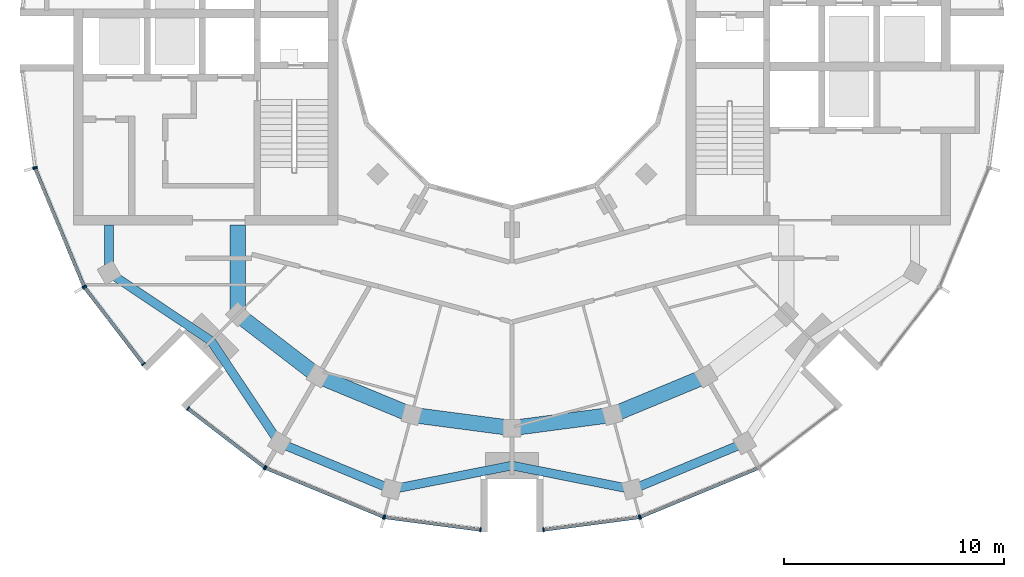
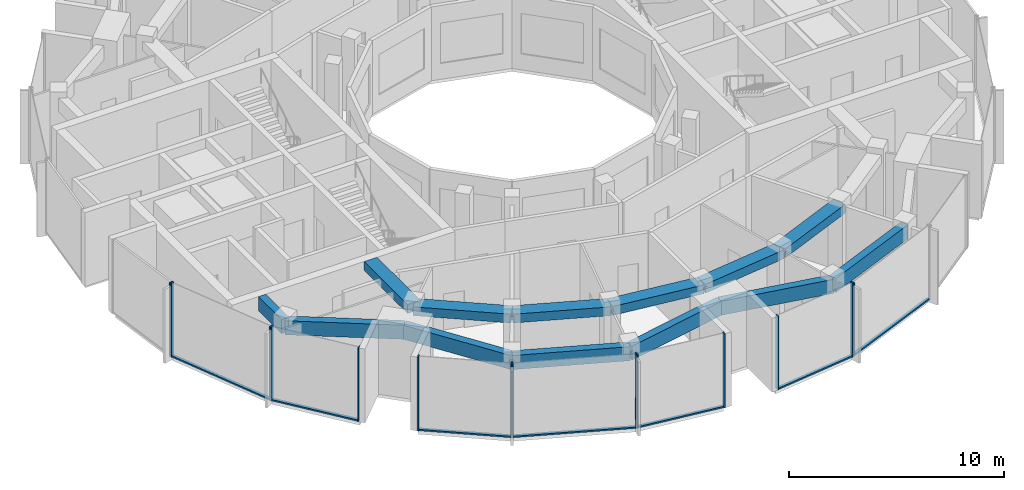
# One storey, part 2 of 14: 21 members, 13 beams, 8 elements without a shape of their own.
"""IFC4 building model written with IfcOpenShell, lengths in metres."""

from ifc_helpers import new_model, si_unit, direction, frame, origin, origin_2d, place, context, subcontext, project, spatial, rectangle, extrude, material, layer, layer_set, material_profile, profile_set, type_object, element, aggregate, save


model = new_model("IFC4")

# Units and contexts
model_context = context("Model", 3, precision=1e-05, world=origin(), true_north=direction((0.0, 1.0)))
body_context = subcontext(model_context, "Body", "Model", "MODEL_VIEW")
ifc_project = project(units=[si_unit("LENGTHUNIT", "METRE"), si_unit("AREAUNIT", "SQUARE_METRE"), si_unit("VOLUMEUNIT", "CUBIC_METRE"), si_unit("PLANEANGLEUNIT", "RADIAN"), si_unit("MASSUNIT", "GRAM", prefix="KILO")], contexts=[model_context])

# Site, building, storey
site_placement = place(None, origin())
site = spatial("IfcSite", under=ifc_project, at=site_placement, CompositionType="ELEMENT")
building_placement = place(site_placement, origin())
building = spatial("IfcBuilding", under=site, at=building_placement, Name="Torre Brocal", CompositionType="ELEMENT")
storey_placement = place(building_placement, frame((0.0, 0.0, 305.10009765625)))
storey = spatial("IfcBuildingStorey", under=building, at=storey_placement, Name="L70", CompositionType="ELEMENT", Elevation=305.10009765625)

# Curtain wall, members
ifc_material_1 = material(Name="Aluminium and glass", Category="aluminium")
ifc_layer_1 = layer(ifc_material_1, 0.199951171875)
ifc_layer_set_1 = layer_set([ifc_layer_1], Name="Aluminium and glass")
curtain_wall_type_1 = type_object("IfcCurtainWallType", Name="CW-1 CURTAIN WALL 4200 HIGH", PredefinedType="NOTDEFINED", material=ifc_layer_set_1)
curtain_wall_1_placement = place(storey_placement, origin())
curtain_wall_1 = element("IfcCurtainWall", 1, at=curtain_wall_1_placement, inside=storey, type_object=curtain_wall_type_1, Name="CW-1 RUN 14", PredefinedType="NOTDEFINED")
ifc_material_2 = material(Name="Aluminium, dark anodised", Category="aluminium")
ifc_material_profile_1 = material_profile(ifc_material_2, rectangle(XDim=0.199951171875, YDim=0.06005859375, at=origin_2d()), Name="CW-1 MULLION 60X200")
ifc_profile_set_1 = profile_set([ifc_material_profile_1], Name="Aluminium, dark anodised")
member_type_1 = type_object("IfcMemberType", Name="CW-1 MULLION 60X200", PredefinedType="MULLION", material=ifc_profile_set_1)
member_1_placement = place(storey_placement, frame((58.37548828125, 69.175048828125, 0.0), z_axis=(0.0, 0.0, 1.0), x_axis=(0.923879532545, 0.382683432284, 0.0)))
member_1 = element("IfcMember", 2, at=member_1_placement, type_object=member_type_1, Name="CW1-5 mullion 1", PredefinedType="MULLION", context=body_context, shape_type="SweptSolid", body=[
    extrude(rectangle(XDim=0.199951171875, YDim=0.06005859375, at=origin_2d()), origin(), (0.0, 0.0, 1.0), 4.199951171875),
])
member_2_placement = place(storey_placement, frame((60.59033203125, 63.828125, 0.0), z_axis=(0.0, 0.0, 1.0), x_axis=(0.923879532545, 0.382683432284, 0.0)))
member_2 = element("IfcMember", 3, at=member_2_placement, type_object=member_type_1, Name="CW1-5 mullion 2", PredefinedType="MULLION", context=body_context, shape_type="SweptSolid", body=[
    extrude(rectangle(XDim=0.199951171875, YDim=0.06005859375, at=origin_2d()), origin(), (0.0, 0.0, 1.0), 4.199951171875),
])

curtain_wall_2_placement = place(storey_placement, origin())
curtain_wall_2 = element("IfcCurtainWall", 4, at=curtain_wall_2_placement, inside=storey, type_object=curtain_wall_type_1, Name="CW-1 RUN 15", PredefinedType="NOTDEFINED")
member_3_placement = place(storey_placement, frame((60.6201171875, 63.776611328125, 0.0), z_axis=(0.0, 0.0, 1.0), x_axis=(0.793353340249, 0.608761429064, 0.0)))
member_3 = element("IfcMember", 5, at=member_3_placement, type_object=member_type_1, Name="CW1-5 mullion 1", PredefinedType="MULLION", context=body_context, shape_type="SweptSolid", body=[
    extrude(rectangle(XDim=0.199951171875, YDim=0.06005859375, at=origin_2d()), origin(), (0.0, 0.0, 1.0), 4.199951171875),
])
member_4_placement = place(storey_placement, frame((63.283447265625, 60.305419921875, 0.0), z_axis=(0.0, 0.0, 1.0), x_axis=(0.793353340249, 0.608761429064, 0.0)))
member_4 = element("IfcMember", 6, at=member_4_placement, type_object=member_type_1, Name="CW1-5 mullion 2", PredefinedType="MULLION", context=body_context, shape_type="SweptSolid", body=[
    extrude(rectangle(XDim=0.199951171875, YDim=0.06005859375, at=origin_2d()), origin(), (0.0, 0.0, 1.0), 4.199951171875),
])

curtain_wall_3_placement = place(storey_placement, origin())
curtain_wall_3 = element("IfcCurtainWall", 7, at=curtain_wall_3_placement, inside=storey, type_object=curtain_wall_type_1, Name="CW-1 RUN 16", PredefinedType="NOTDEFINED")
member_5_placement = place(storey_placement, frame((65.305419921875, 58.283447265625, 0.0), z_axis=(0.0, 0.0, 1.0), x_axis=(0.608761429064, 0.793353340249, 0.0)))
member_5 = element("IfcMember", 8, at=member_5_placement, type_object=member_type_1, Name="CW1-5 mullion 1", PredefinedType="MULLION", context=body_context, shape_type="SweptSolid", body=[
    extrude(rectangle(XDim=0.199951171875, YDim=0.06005859375, at=origin_2d()), origin(), (0.0, 0.0, 1.0), 4.199951171875),
])
member_6_placement = place(storey_placement, frame((68.776611328125, 55.6201171875, 0.0), z_axis=(0.0, 0.0, 1.0), x_axis=(0.608761429064, 0.793353340249, 0.0)))
member_6 = element("IfcMember", 9, at=member_6_placement, type_object=member_type_1, Name="CW1-5 mullion 2", PredefinedType="MULLION", context=body_context, shape_type="SweptSolid", body=[
    extrude(rectangle(XDim=0.199951171875, YDim=0.06005859375, at=origin_2d()), origin(), (0.0, 0.0, 1.0), 4.199951171875),
])

curtain_wall_4_placement = place(storey_placement, origin())
curtain_wall_4 = element("IfcCurtainWall", 10, at=curtain_wall_4_placement, inside=storey, type_object=curtain_wall_type_1, Name="CW-1 RUN 17", PredefinedType="NOTDEFINED")
member_7_placement = place(storey_placement, frame((68.828125, 55.59033203125, 0.0), z_axis=(0.0, 0.0, 1.0), x_axis=(0.382683432284, 0.923879532545, 0.0)))
member_7 = element("IfcMember", 11, at=member_7_placement, type_object=member_type_1, Name="CW1-5 mullion 1", PredefinedType="MULLION", context=body_context, shape_type="SweptSolid", body=[
    extrude(rectangle(XDim=0.199951171875, YDim=0.06005859375, at=origin_2d()), origin(), (0.0, 0.0, 1.0), 4.199951171875),
])
member_8_placement = place(storey_placement, frame((74.175048828125, 53.37548828125, 0.0), z_axis=(0.0, 0.0, 1.0), x_axis=(0.382683432284, 0.923879532545, 0.0)))
member_8 = element("IfcMember", 12, at=member_8_placement, type_object=member_type_1, Name="CW1-5 mullion 2", PredefinedType="MULLION", context=body_context, shape_type="SweptSolid", body=[
    extrude(rectangle(XDim=0.199951171875, YDim=0.06005859375, at=origin_2d()), origin(), (0.0, 0.0, 1.0), 4.199951171875),
])

curtain_wall_5_placement = place(storey_placement, origin())
curtain_wall_5 = element("IfcCurtainWall", 13, at=curtain_wall_5_placement, inside=storey, type_object=curtain_wall_type_1, Name="CW-1 RUN 18", PredefinedType="NOTDEFINED")
member_9_placement = place(storey_placement, frame((74.232421875, 53.360107421875, 0.0), z_axis=(0.0, 0.0, 1.0), x_axis=(0.13052619222, 0.991444861374, 0.0)))
member_9 = element("IfcMember", 14, at=member_9_placement, type_object=member_type_1, Name="CW1-5 mullion 1", PredefinedType="MULLION", context=body_context, shape_type="SweptSolid", body=[
    extrude(rectangle(XDim=0.199951171875, YDim=0.06005859375, at=origin_2d()), origin(), (0.0, 0.0, 1.0), 4.199951171875),
])
member_10_placement = place(storey_placement, frame((78.5703125, 52.7890625, 0.0), z_axis=(0.0, 0.0, 1.0), x_axis=(0.13052619222, 0.991444861374, 0.0)))
member_10 = element("IfcMember", 15, at=member_10_placement, type_object=member_type_1, Name="CW1-5 mullion 2", PredefinedType="MULLION", context=body_context, shape_type="SweptSolid", body=[
    extrude(rectangle(XDim=0.199951171875, YDim=0.06005859375, at=origin_2d()), origin(), (0.0, 0.0, 1.0), 4.199951171875),
])

curtain_wall_6_placement = place(storey_placement, origin())
curtain_wall_6 = element("IfcCurtainWall", 16, at=curtain_wall_6_placement, inside=storey, type_object=curtain_wall_type_1, Name="CW-1 RUN 19", PredefinedType="NOTDEFINED")
member_11_placement = place(storey_placement, frame((81.4296875, 52.7890625, 0.0), z_axis=(0.0, 0.0, 1.0), x_axis=(-0.13052619222, 0.991444861374, 0.0)))
member_11 = element("IfcMember", 17, at=member_11_placement, type_object=member_type_1, Name="CW1-5 mullion 1", PredefinedType="MULLION", context=body_context, shape_type="SweptSolid", body=[
    extrude(rectangle(XDim=0.199951171875, YDim=0.06005859375, at=origin_2d()), origin(), (0.0, 0.0, 1.0), 4.199951171875),
])
member_12_placement = place(storey_placement, frame((85.767578125, 53.360107421875, 0.0), z_axis=(0.0, 0.0, 1.0), x_axis=(-0.13052619222, 0.991444861374, 0.0)))
member_12 = element("IfcMember", 18, at=member_12_placement, type_object=member_type_1, Name="CW1-5 mullion 2", PredefinedType="MULLION", context=body_context, shape_type="SweptSolid", body=[
    extrude(rectangle(XDim=0.199951171875, YDim=0.06005859375, at=origin_2d()), origin(), (0.0, 0.0, 1.0), 4.199951171875),
])

# Curtain wall, member
curtain_wall_7_placement = place(storey_placement, origin())
curtain_wall_7 = element("IfcCurtainWall", 19, at=curtain_wall_7_placement, inside=storey, type_object=curtain_wall_type_1, Name="CW-1 RUN 20", PredefinedType="NOTDEFINED")
member_13_placement = place(storey_placement, frame((85.824951171875, 53.37548828125, 0.0), z_axis=(0.0, 0.0, 1.0), x_axis=(-0.382683432284, 0.923879532545, 0.0)))
member_13 = element("IfcMember", 20, at=member_13_placement, type_object=member_type_1, Name="CW1-5 mullion 1", PredefinedType="MULLION", context=body_context, shape_type="SweptSolid", body=[
    extrude(rectangle(XDim=0.199951171875, YDim=0.06005859375, at=origin_2d()), origin(), (0.0, 0.0, 1.0), 4.199951171875),
])

# Member
ifc_material_3 = material(Name="Aluminium, dark anodised", Category="aluminium")
ifc_material_profile_2 = material_profile(ifc_material_3, rectangle(XDim=0.159912109375, YDim=0.080078125, at=origin_2d()), Name="CW-1 TRANSOM 160X80")
ifc_profile_set_2 = profile_set([ifc_material_profile_2], Name="Aluminium, dark anodised")
member_type_2 = type_object("IfcMemberType", Name="CW-1 TRANSOM 160X80", PredefinedType="USERDEFINED", material=ifc_profile_set_2)
member_14_placement = place(storey_placement, frame((58.386962890625, 69.147216796875, 0.039794921875), z_axis=(0.382710701355, -0.923868236854, 0.0), x_axis=(0.923868236854, 0.382710701355, 0.0)))
member_14 = element("IfcMember", 21, at=member_14_placement, type_object=member_type_2, Name="CW1-5 transom 1.1", ObjectType="TRANSOM", PredefinedType="USERDEFINED", context=body_context, shape_type="SweptSolid", body=[
    extrude(rectangle(XDim=0.159912109375, YDim=0.080078125, at=origin_2d()), origin(), (0.0, 0.0, 1.0), 5.727294921875),
])

aggregate(curtain_wall_1, [member_1, member_2, member_14])

member_15_placement = place(storey_placement, frame((60.63818359375, 63.7529296875, 0.039794921875), z_axis=(0.608788976677, -0.793332201462, 0.0), x_axis=(0.793332201462, 0.608788976677, 0.0)))
member_15 = element("IfcMember", 22, at=member_15_placement, type_object=member_type_2, Name="CW1-5 transom 1.1", ObjectType="TRANSOM", PredefinedType="USERDEFINED", context=body_context, shape_type="SweptSolid", body=[
    extrude(rectangle(XDim=0.159912109375, YDim=0.080078125, at=origin_2d()), origin(), (0.0, 0.0, 1.0), 4.3154296875),
])

aggregate(curtain_wall_2, [member_3, member_4, member_15])

member_16_placement = place(storey_placement, frame((65.329345703125, 58.265380859375, 0.039794921875), z_axis=(0.793332201462, -0.608788976677, 0.0), x_axis=(0.608788976677, 0.793332201462, 0.0)))
member_16 = element("IfcMember", 23, at=member_16_placement, type_object=member_type_2, Name="CW1-5 transom 1.1", ObjectType="TRANSOM", PredefinedType="USERDEFINED", context=body_context, shape_type="SweptSolid", body=[
    extrude(rectangle(XDim=0.159912109375, YDim=0.080078125, at=origin_2d()), origin(), (0.0, 0.0, 1.0), 4.3154296875),
])

aggregate(curtain_wall_3, [member_5, member_6, member_16])

member_17_placement = place(storey_placement, frame((68.85595703125, 55.578857421875, 0.039794921875), z_axis=(0.923868236854, -0.382710701355, 0.0), x_axis=(0.382710701355, 0.923868236854, 0.0)))
member_17 = element("IfcMember", 24, at=member_17_placement, type_object=member_type_2, Name="CW1-5 transom 1.1", ObjectType="TRANSOM", PredefinedType="USERDEFINED", context=body_context, shape_type="SweptSolid", body=[
    extrude(rectangle(XDim=0.159912109375, YDim=0.080078125, at=origin_2d()), origin(), (0.0, 0.0, 1.0), 5.727294921875),
])

aggregate(curtain_wall_4, [member_7, member_8, member_17])

member_18_placement = place(storey_placement, frame((74.26220703125, 53.356201171875, 0.039794921875), z_axis=(0.991445435136, -0.130521833991, 0.0), x_axis=(0.130521833991, 0.991445435136, 0.0)))
member_18 = element("IfcMember", 25, at=member_18_placement, type_object=member_type_2, Name="CW1-5 transom 1.1", ObjectType="TRANSOM", PredefinedType="USERDEFINED", context=body_context, shape_type="SweptSolid", body=[
    extrude(rectangle(XDim=0.159912109375, YDim=0.080078125, at=origin_2d()), origin(), (0.0, 0.0, 1.0), 4.315185546875),
])

aggregate(curtain_wall_5, [member_9, member_10, member_18])

member_19_placement = place(storey_placement, frame((81.45947265625, 52.79296875, 0.039794921875), z_axis=(0.991445435136, 0.130521833991, 0.0), x_axis=(-0.130521833991, 0.991445435136, 0.0)))
member_19 = element("IfcMember", 26, at=member_19_placement, type_object=member_type_2, Name="CW1-5 transom 1.1", ObjectType="TRANSOM", PredefinedType="USERDEFINED", context=body_context, shape_type="SweptSolid", body=[
    extrude(rectangle(XDim=0.159912109375, YDim=0.080078125, at=origin_2d()), origin(), (0.0, 0.0, 1.0), 4.315185546875),
])

aggregate(curtain_wall_6, [member_11, member_12, member_19])

member_20_placement = place(storey_placement, frame((85.852783203125, 53.386962890625, 0.039794921875), z_axis=(0.923868236854, 0.382710701355, 0.0), x_axis=(-0.382710701355, 0.923868236854, 0.0)))
member_20 = element("IfcMember", 27, at=member_20_placement, type_object=member_type_2, Name="CW1-5 transom 1.1", ObjectType="TRANSOM", PredefinedType="USERDEFINED", context=body_context, shape_type="SweptSolid", body=[
    extrude(rectangle(XDim=0.159912109375, YDim=0.080078125, at=origin_2d()), origin(), (0.0, 0.0, 1.0), 5.727294921875),
])

aggregate(curtain_wall_7, [member_13, member_20])

# Curtain wall, member
ifc_material_4 = material(Name="Aluminium and glass", Category="aluminium")
ifc_layer_2 = layer(ifc_material_4, 0.199951171875)
ifc_layer_set_2 = layer_set([ifc_layer_2], Name="Aluminium and glass")
curtain_wall_type_2 = type_object("IfcCurtainWallType", Name="CW-1B CURTAIN WALL 4200 HIGH", PredefinedType="NOTDEFINED", material=ifc_layer_set_2)
curtain_wall_8_placement = place(storey_placement, origin())
curtain_wall_8 = element("IfcCurtainWall", 28, at=curtain_wall_8_placement, inside=storey, type_object=curtain_wall_type_2, Name="CW-1B RUN 13", PredefinedType="NOTDEFINED")
ifc_material_5 = material(Name="Aluminium, dark anodised", Category="aluminium")
ifc_material_profile_3 = material_profile(ifc_material_5, rectangle(XDim=0.199951171875, YDim=0.06005859375, at=origin_2d()), Name="CW-1B MULLION 60X200")
ifc_profile_set_3 = profile_set([ifc_material_profile_3], Name="Aluminium, dark anodised")
member_type_3 = type_object("IfcMemberType", Name="CW-1B MULLION 60X200", PredefinedType="MULLION", material=ifc_profile_set_3)
member_21_placement = place(storey_placement, frame((58.360107421875, 69.232421875, 0.0), z_axis=(0.0, 0.0, 1.0), x_axis=(0.991444861374, 0.13052619222, 0.0)))
member_21 = element("IfcMember", 29, at=member_21_placement, type_object=member_type_3, Name="CW1B-5 mullion 2", PredefinedType="MULLION", context=body_context, shape_type="SweptSolid", body=[
    extrude(rectangle(XDim=0.199951171875, YDim=0.06005859375, at=origin_2d()), origin(), (0.0, 0.0, 1.0), 4.199951171875),
])
aggregate(curtain_wall_8, [member_21])

# Beams
ifc_material_6 = material(Name="Concrete C50", Category="concrete")
ifc_material_profile_4 = material_profile(ifc_material_6, rectangle(XDim=0.699951171875, YDim=0.5, at=origin_2d()), Name="RC 700X500")
ifc_profile_set_4 = profile_set([ifc_material_profile_4], Name="Concrete C50")
beam_type_1 = type_object("IfcBeamType", Name="RC BEAM 700X500 C50 TOP 3850", PredefinedType="BEAM", material=ifc_profile_set_4)
beam_1_placement = place(storey_placement, frame((67.554931640625, 62.554931640625, 3.599853515625), z_axis=(0.0, 1.0, 0.0), x_axis=(-1.0, 0.0, 0.0)))
element("IfcBeam", 30, at=beam_1_placement, inside=storey, type_object=beam_type_1, Name="Beam BT-48", PredefinedType="BEAM", context=body_context, shape_type="SweptSolid", body=[
    extrude(rectangle(XDim=0.699951171875, YDim=0.5, at=origin_2d()), origin(), (0.0, 0.0, 1.0), 4.045166015625),
])
beam_2_placement = place(storey_placement, frame((67.554931640625, 62.554931640625, 3.599853515625), z_axis=(0.793358265959, -0.6087550097, 0.0), x_axis=(0.6087550097, 0.793358265959, 0.0)))
element("IfcBeam", 31, at=beam_2_placement, inside=storey, type_object=beam_type_1, Name="Beam BT-48", PredefinedType="BEAM", context=body_context, shape_type="SweptSolid", body=[
    extrude(rectangle(XDim=0.699951171875, YDim=0.5, at=origin_2d()), origin(), (0.0, 0.0, 1.0), 4.594482421875),
])
beam_3_placement = place(storey_placement, frame((71.199951171875, 59.758056640625, 3.599853515625), z_axis=(0.923878240166, -0.382686552348, 0.0), x_axis=(0.382686552348, 0.923878240166, 0.0)))
element("IfcBeam", 32, at=beam_3_placement, inside=storey, type_object=beam_type_1, Name="Beam BT-48", PredefinedType="BEAM", context=body_context, shape_type="SweptSolid", body=[
    extrude(rectangle(XDim=0.699951171875, YDim=0.5, at=origin_2d()), origin(), (0.0, 0.0, 1.0), 4.5947265625),
])
for number, where, z_axis, x_axis, name in (
    (33, (75.44482421875, 57.999755859375, 3.599853515625), (0.991440544449, -0.130558978332, 0.0), (0.130558978332, 0.991440544449, 0.0), "Beam BT-48"),
    (34, (80.0, 57.39990234375, 3.599853515625), (0.991440544449, 0.130558978332, 0.0), (-0.130558978332, 0.991440544449, 0.0), "Beam BT-48"),
):
    element("IfcBeam", number, at=place(storey_placement, frame(where, z_axis=z_axis, x_axis=x_axis)), inside=storey, type_object=beam_type_1, Name=name, PredefinedType="BEAM", context=body_context, shape_type="SweptSolid", body=[
        extrude(rectangle(XDim=0.699951171875, YDim=0.5, at=origin_2d()), origin(), (0.0, 0.0, 1.0), 4.594482421875),
    ])
beam_4_placement = place(storey_placement, frame((84.55517578125, 57.999755859375, 3.599853515625), z_axis=(0.923878240166, 0.382686552348, 0.0), x_axis=(-0.382686552348, 0.923878240166, 0.0)))
element("IfcBeam", 35, at=beam_4_placement, inside=storey, type_object=beam_type_1, Name="Beam BT-48", PredefinedType="BEAM", context=body_context, shape_type="SweptSolid", body=[
    extrude(rectangle(XDim=0.699951171875, YDim=0.5, at=origin_2d()), origin(), (0.0, 0.0, 1.0), 4.5947265625),
])
ifc_material_7 = material(Name="Concrete C50", Category="concrete")
ifc_material_profile_5 = material_profile(ifc_material_7, rectangle(XDim=0.39990234375, YDim=0.800048828125, at=origin_2d()), Name="RC 400X800")
ifc_profile_set_5 = profile_set([ifc_material_profile_5], Name="Concrete C50")
beam_type_2 = type_object("IfcBeamType", Name="RC SPANDREL BEAM 400X800 C50 TOP 3850", PredefinedType="SPANDREL", material=ifc_profile_set_5)
beam_5_placement = place(storey_placement, frame((61.726806640625, 64.449951171875, 3.449951171875), z_axis=(0.0, 1.0, 0.0), x_axis=(-1.0, 0.0, 0.0)))
element("IfcBeam", 36, at=beam_5_placement, inside=storey, type_object=beam_type_2, Name="Beam BT-49", PredefinedType="SPANDREL", context=body_context, shape_type="SweptSolid", body=[
    extrude(rectangle(XDim=0.39990234375, YDim=0.800048828125, at=origin_2d()), origin(), (0.0, 0.0, 1.0), 2.150146484375),
])
for number, where, z_axis, x_axis, name in (
    (37, (61.726806640625, 64.449951171875, 3.449951171875), (0.830955689206, -0.556338604247, 0.0), (0.556338604247, 0.830955689206, 0.0), "Beam BT-49"),
    (38, (66.352783203125, 61.352783203125, 3.449951171875), (0.556338604247, -0.830955689206, 0.0), (0.830955689206, 0.556338604247, 0.0), "Beam BT-49"),
):
    element("IfcBeam", number, at=place(storey_placement, frame(where, z_axis=z_axis, x_axis=x_axis)), inside=storey, type_object=beam_type_2, Name=name, PredefinedType="SPANDREL", context=body_context, shape_type="SweptSolid", body=[
        extrude(rectangle(XDim=0.39990234375, YDim=0.800048828125, at=origin_2d()), origin(), (0.0, 0.0, 1.0), 5.567138671875),
    ])
beam_6_placement = place(storey_placement, frame((69.449951171875, 56.726806640625, 3.449951171875), z_axis=(0.923877456038, -0.382688445377, 0.0), x_axis=(0.382688445377, 0.923877456038, 0.0)))
element("IfcBeam", 39, at=beam_6_placement, inside=storey, type_object=beam_type_2, Name="Beam BT-49", PredefinedType="SPANDREL", context=body_context, shape_type="SweptSolid", body=[
    extrude(rectangle(XDim=0.39990234375, YDim=0.800048828125, at=origin_2d()), origin(), (0.0, 0.0, 1.0), 5.508056640625),
])
for number, where, z_axis, x_axis, name in (
    (40, (74.538818359375, 54.618896484375, 3.449951171875), (0.980965024419, 0.194184502129, 0.0), (-0.194184502129, 0.980965024419, 0.0), "Beam BT-49"),
    (41, (80.0, 55.699951171875, 3.449951171875), (0.980965024419, -0.194184502129, 0.0), (0.194184502129, 0.980965024419, 0.0), "Beam BT-49"),
):
    element("IfcBeam", number, at=place(storey_placement, frame(where, z_axis=z_axis, x_axis=x_axis)), inside=storey, type_object=beam_type_2, Name=name, PredefinedType="SPANDREL", context=body_context, shape_type="SweptSolid", body=[
        extrude(rectangle(XDim=0.39990234375, YDim=0.800048828125, at=origin_2d()), origin(), (0.0, 0.0, 1.0), 5.567138671875),
    ])
beam_7_placement = place(storey_placement, frame((85.461181640625, 54.618896484375, 3.449951171875), z_axis=(0.923877456038, 0.382688445377, 0.0), x_axis=(-0.382688445377, 0.923877456038, 0.0)))
element("IfcBeam", 42, at=beam_7_placement, inside=storey, type_object=beam_type_2, Name="Beam BT-49", PredefinedType="SPANDREL", context=body_context, shape_type="SweptSolid", body=[
    extrude(rectangle(XDim=0.39990234375, YDim=0.800048828125, at=origin_2d()), origin(), (0.0, 0.0, 1.0), 5.508056640625),
])

save(model, "model.ifc")
